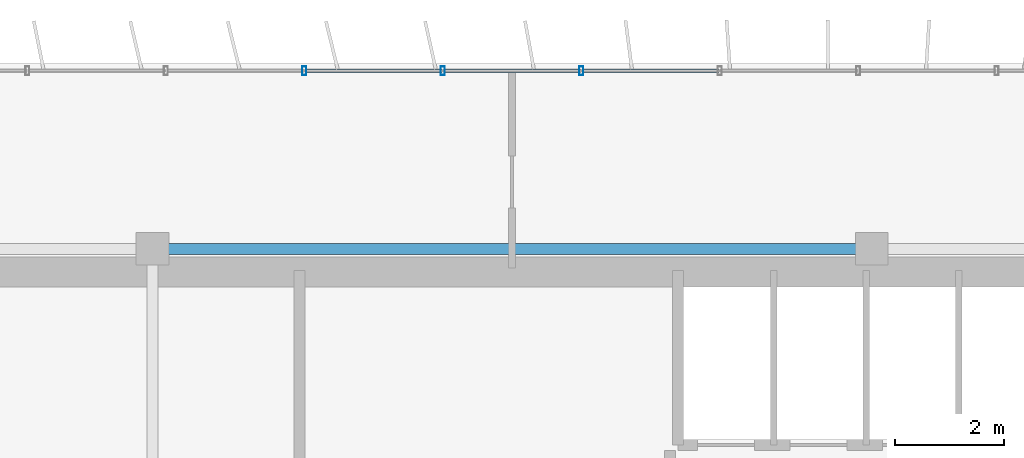
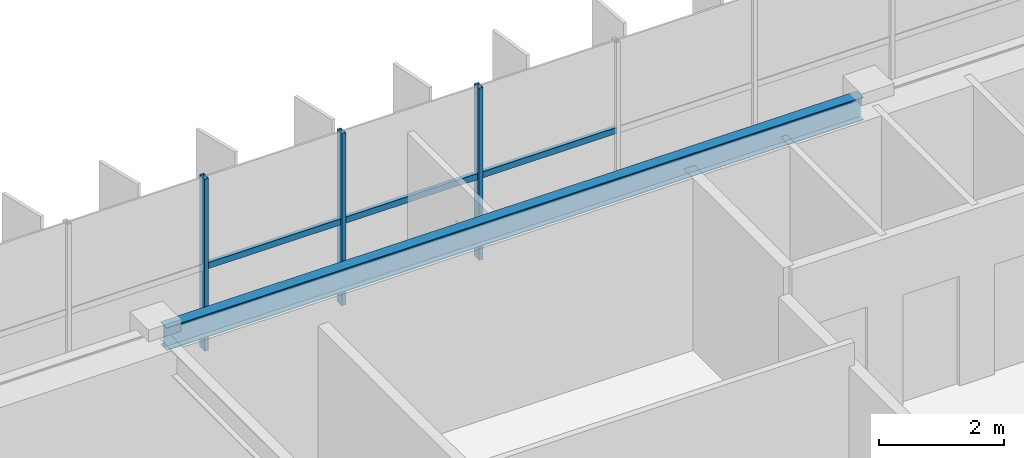
# One storey, part 9 of 22: 6 members, 1 beam, 1 element without a shape of its own.
"""IFC4 building model written with IfcOpenShell, lengths in metres."""

from ifc_helpers import new_model, si_unit, direction, frame, origin, origin_2d, place, context, subcontext, project, spatial, hollow_rectangle, i_section, extrude, source, transform, mapped, material, material_profile, profile_set, type_object, element, aggregate, save


model = new_model("IFC4")

# Units and contexts
model_context = context("Model", 3, precision=1e-05, world=origin(), true_north=direction((0.0, 1.0)))
body_context = subcontext(model_context, "Body", "Model", "MODEL_VIEW")
ifc_project = project(units=[si_unit("LENGTHUNIT", "METRE"), si_unit("AREAUNIT", "SQUARE_METRE"), si_unit("VOLUMEUNIT", "CUBIC_METRE"), si_unit("PLANEANGLEUNIT", "RADIAN"), si_unit("MASSUNIT", "GRAM", prefix="KILO")], contexts=[model_context])

# Site, building, storey
site_placement = place(None, origin())
site = spatial("IfcSite", under=ifc_project, at=site_placement, CompositionType="ELEMENT")
building_placement = place(site_placement, origin())
building = spatial("IfcBuilding", under=site, at=building_placement, Name="Trelvane Seafront Commons", CompositionType="ELEMENT")
storey_placement = place(building_placement, frame((0.0, 0.0, 277.5)))
storey = spatial("IfcBuildingStorey", under=building, at=storey_placement, Name="L72", CompositionType="ELEMENT", Elevation=277.5)

# Beam
ifc_material_1 = material(Name="Steel SM355 (S355)", Category="steel")
ifc_material_profile_1 = material_profile(ifc_material_1, i_section(OverallWidth=0.199951171875, OverallDepth=0.449951171875, WebThickness=0.009033203125, FlangeThickness=0.013916015625, at=origin_2d()), Name="H-450x200x9x14")
ifc_profile_set_1 = profile_set([ifc_material_profile_1], Name="Steel SM355 (S355)")
beam_type = type_object("IfcBeamType", Name="STR-SPD-H450", PredefinedType="SPANDREL", material=ifc_profile_set_1)
shared_shape_1 = source(origin(), body_context, "Body", "SweptSolid", [
    extrude(i_section(OverallWidth=0.199951171875, OverallDepth=0.449951171875, WebThickness=0.009033203125, FlangeThickness=0.013916015625, at=origin_2d()), origin(), (0.0, 0.0, 1.0), 12.89990234375),
])
beam_placement = place(storey_placement, frame((30.75, 45.10009765625, 3.14501953125), z_axis=(1.0, 0.0, 0.0), x_axis=(0.0, 1.0, 0.0)))
element("IfcBeam", 1, at=beam_placement, inside=storey, type_object=beam_type, Name="L72 Primary Girder G-25", PredefinedType="SPANDREL", context=body_context, shape_type="MappedRepresentation", body=[
    mapped(shared_shape_1, transform((0.0, 0.0, 0.0), x_axis=(1.0, 0.0, 0.0), y_axis=(0.0, 1.0, 0.0), z_axis=(0.0, 0.0, 1.0), scale=1.0)),
])

# Curtain wall, members
ifc_material_2 = material(Name="Anodised pale-silver aluminium", Category="aluminium")
curtain_wall_type = type_object("IfcCurtainWallType", Name="ARCH-CW5-UPTOWER", PredefinedType="NOTDEFINED", material=ifc_material_2)
curtain_wall_placement = place(storey_placement, origin())
curtain_wall = element("IfcCurtainWall", 2, at=curtain_wall_placement, inside=storey, type_object=curtain_wall_type, Name="CW-L72-0116", PredefinedType="NOTDEFINED")
ifc_material_profile_2 = material_profile(ifc_material_2, hollow_rectangle(XDim=0.070068359375, YDim=0.1201171875, WallThickness=0.00390625, at=origin_2d()), Name="TRAN-70x120x4")
ifc_profile_set_2 = profile_set([ifc_material_profile_2], Name="Anodised pale-silver aluminium")
member_type_1 = type_object("IfcMemberType", Name="ARCH-CW-TRAN-120", PredefinedType="USERDEFINED", material=ifc_profile_set_2)
shared_shape_2 = source(origin(), body_context, "Body", "SweptSolid", [
    extrude(hollow_rectangle(XDim=0.070068359375, YDim=0.1201171875, WallThickness=0.00390625, at=origin_2d()), origin(), (0.0, 0.0, 1.0), 2.51708984375),
])
member_1_placement = place(storey_placement, frame((35.94140625, 48.3701171875, 1.617919921875), z_axis=(1.0, 0.0, 0.0), x_axis=(0.0, 1.0, 0.0)))
member_1 = element("IfcMember", 3, at=member_1_placement, type_object=member_type_1, Name="CW-L72-0116-T08", ObjectType="TRANSOM", PredefinedType="USERDEFINED", context=body_context, shape_type="MappedRepresentation", body=[
    mapped(shared_shape_2, transform((0.0, 0.0, 0.0), x_axis=(1.0, 0.0, 0.0), y_axis=(0.0, 1.0, 0.0), z_axis=(0.0, 0.0, 1.0), scale=1.0)),
])
member_2_placement = place(storey_placement, frame((38.482666015625, 48.3701171875, 1.617919921875), z_axis=(1.0, 0.0, 0.0), x_axis=(0.0, 1.0, 0.0)))
member_2 = element("IfcMember", 4, at=member_2_placement, type_object=member_type_1, Name="CW-L72-0116-T09", ObjectType="TRANSOM", PredefinedType="USERDEFINED", context=body_context, shape_type="MappedRepresentation", body=[
    mapped(shared_shape_2, transform((0.0, 0.0, 0.0), x_axis=(1.0, 0.0, 0.0), y_axis=(0.0, 1.0, 0.0), z_axis=(0.0, 0.0, 1.0), scale=1.0)),
])
shared_shape_3 = source(origin(), body_context, "Body", "SweptSolid", [
    extrude(hollow_rectangle(XDim=0.070068359375, YDim=0.1201171875, WallThickness=0.00390625, at=origin_2d()), origin(), (0.0, 0.0, 1.0), 2.517333984375),
])
member_3_placement = place(storey_placement, frame((33.400146484375, 48.3701171875, 1.617919921875), z_axis=(1.0, 0.0, 0.0), x_axis=(0.0, 1.0, 0.0)))
member_3 = element("IfcMember", 5, at=member_3_placement, type_object=member_type_1, Name="CW-L72-0116-T07", ObjectType="TRANSOM", PredefinedType="USERDEFINED", context=body_context, shape_type="MappedRepresentation", body=[
    mapped(shared_shape_3, transform((0.0, 0.0, 0.0), x_axis=(1.0, 0.0, 0.0), y_axis=(0.0, 1.0, 0.0), z_axis=(0.0, 0.0, 1.0), scale=1.0)),
])
ifc_material_profile_3 = material_profile(ifc_material_2, hollow_rectangle(XDim=0.074951171875, YDim=0.159912109375, WallThickness=0.00390625, at=origin_2d()), Name="MULL-75x160x4")
ifc_profile_set_3 = profile_set([ifc_material_profile_3], Name="Anodised pale-silver aluminium")
member_type_2 = type_object("IfcMemberType", Name="ARCH-CW-MULL-160", PredefinedType="MULLION", material=ifc_profile_set_3)
shared_shape_4 = source(origin(), body_context, "Body", "SweptSolid", [
    extrude(hollow_rectangle(XDim=0.074951171875, YDim=0.159912109375, WallThickness=0.00390625, at=origin_2d()), origin(), (0.0, 0.0, 1.0), 3.3701171875),
])
member_4_placement = place(storey_placement, frame((33.38818359375, 48.3701171875, 0.0), z_axis=(0.0, 0.0, 1.0), x_axis=(1.0, 0.0, 0.0)))
member_4 = element("IfcMember", 6, at=member_4_placement, type_object=member_type_2, Name="CW-L72-0116-M07", PredefinedType="MULLION", context=body_context, shape_type="MappedRepresentation", body=[
    mapped(shared_shape_4, transform((0.0, 0.0, 0.0), x_axis=(1.0, 0.0, 0.0), y_axis=(0.0, 1.0, 0.0), z_axis=(0.0, 0.0, 1.0), scale=1.0)),
])
member_5_placement = place(storey_placement, frame((35.929443359375, 48.3701171875, 0.0), z_axis=(0.0, 0.0, 1.0), x_axis=(1.0, 0.0, 0.0)))
member_5 = element("IfcMember", 7, at=member_5_placement, type_object=member_type_2, Name="CW-L72-0116-M08", PredefinedType="MULLION", context=body_context, shape_type="MappedRepresentation", body=[
    mapped(shared_shape_4, transform((0.0, 0.0, 0.0), x_axis=(1.0, 0.0, 0.0), y_axis=(0.0, 1.0, 0.0), z_axis=(0.0, 0.0, 1.0), scale=1.0)),
])
member_6_placement = place(storey_placement, frame((38.470703125, 48.3701171875, 0.0), z_axis=(0.0, 0.0, 1.0), x_axis=(1.0, 0.0, 0.0)))
member_6 = element("IfcMember", 8, at=member_6_placement, type_object=member_type_2, Name="CW-L72-0116-M09", PredefinedType="MULLION", context=body_context, shape_type="MappedRepresentation", body=[
    mapped(shared_shape_4, transform((0.0, 0.0, 0.0), x_axis=(1.0, 0.0, 0.0), y_axis=(0.0, 1.0, 0.0), z_axis=(0.0, 0.0, 1.0), scale=1.0)),
])
aggregate(curtain_wall, [member_4, member_5, member_6, member_3, member_1, member_2])

save(model, "model.ifc")
